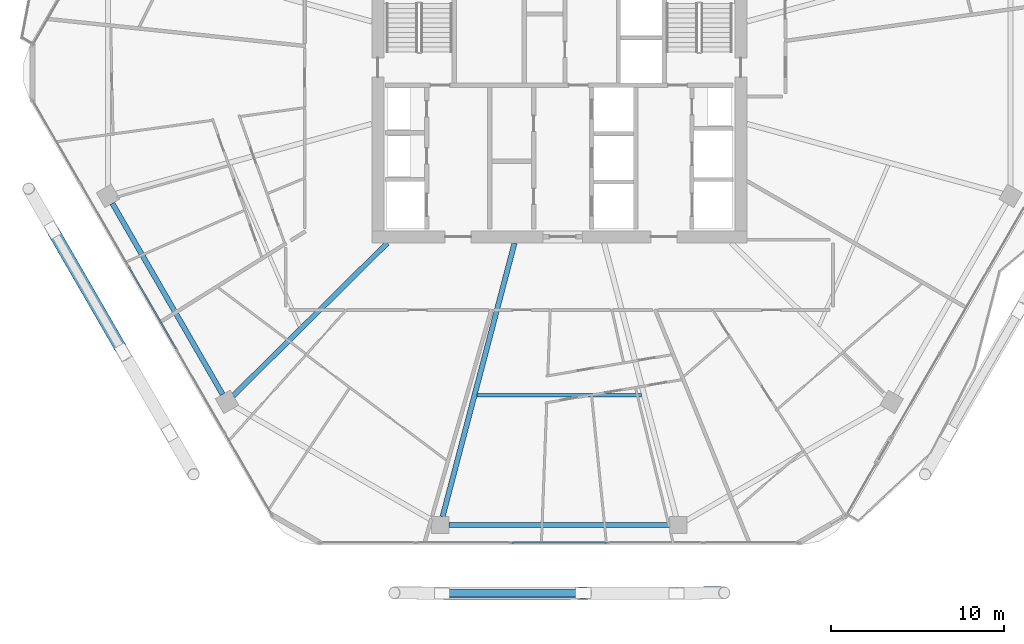
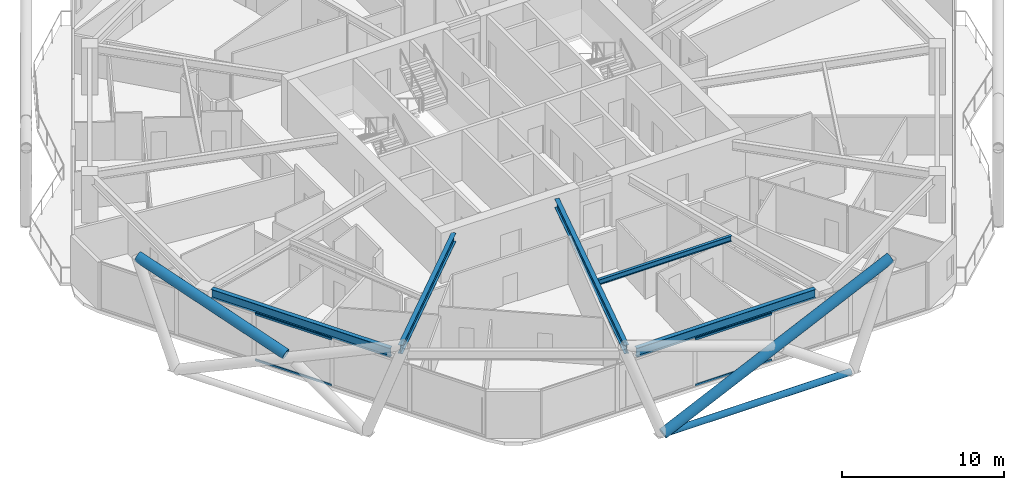
# One storey, part 4 of 28: 7 members, 5 beams, 2 elements without a shape of their own.
"""IFC4 building model written with IfcOpenShell, lengths in metres."""

from ifc_helpers import new_model, si_unit, direction, frame, origin, origin_2d, place, context, subcontext, project, spatial, hollow_rectangle, hollow_circle, i_section, extrude, material, material_profile, profile_set, type_object, element, aggregate, save


model = new_model("IFC4")

# Units and contexts
model_context = context("Model", 3, precision=1e-05, world=origin(), true_north=direction((0.0, 1.0)))
body_context = subcontext(model_context, "Body", "Model", "MODEL_VIEW")
ifc_project = project(units=[si_unit("LENGTHUNIT", "METRE"), si_unit("AREAUNIT", "SQUARE_METRE"), si_unit("VOLUMEUNIT", "CUBIC_METRE"), si_unit("PLANEANGLEUNIT", "RADIAN"), si_unit("MASSUNIT", "GRAM", prefix="KILO")], contexts=[model_context])

# Site, building, storey
site_placement = place(None, origin())
site = spatial("IfcSite", under=ifc_project, at=site_placement, CompositionType="ELEMENT")
building_placement = place(site_placement, origin())
building = spatial("IfcBuilding", under=site, at=building_placement, Name="Zuhravey Tower", CompositionType="ELEMENT")
storey_placement = place(building_placement, frame((0.0, 0.0, 154.199951171875)))
storey = spatial("IfcBuildingStorey", under=building, at=storey_placement, Name="L38", CompositionType="ELEMENT", Elevation=154.199951171875)

# Curtain wall, members
ifc_material_1 = material(Name="Thermally broken anodised aluminium", Category="aluminium")
curtain_wall_type = type_object("IfcCurtainWallType", Name="Zone 1-2 Residential Curtain Wall CW3", PredefinedType="NOTDEFINED", material=ifc_material_1)
curtain_wall_1_placement = place(storey_placement, origin())
curtain_wall_1 = element("IfcCurtainWall", 1, at=curtain_wall_1_placement, inside=storey, type_object=curtain_wall_type, Name="L38 CW3 CW-L38-F5-1", PredefinedType="NOTDEFINED")
ifc_material_2 = material(Name="Anodised aluminium", Category="aluminium")
ifc_material_profile_1 = material_profile(ifc_material_2, hollow_rectangle(XDim=0.090087890625, YDim=0.14990234375, WallThickness=0.0048828125, at=origin_2d()), Name="ALU-RHS-90x150x5")
ifc_profile_set_1 = profile_set([ifc_material_profile_1], Name="Anodised aluminium")
member_type_1 = type_object("IfcMemberType", Name="Curtain-Wall Transom 90x150", PredefinedType="USERDEFINED", material=ifc_profile_set_1)
member_1_placement = place(storey_placement, frame((38.727294921875, 4.81689453125, 0.045166015625), z_axis=(-1.0, 0.0, 0.0), x_axis=(0.0, -1.0, 0.0)))
member_1 = element("IfcMember", 2, at=member_1_placement, type_object=member_type_1, Name="CW3 transom 3.1", ObjectType="TRANSOM", PredefinedType="USERDEFINED", context=body_context, shape_type="SweptSolid", body=[
    extrude(hollow_rectangle(XDim=0.090087890625, YDim=0.14990234375, WallThickness=0.0048828125, at=origin_2d()), origin(), (0.0, 0.0, 1.0), 5.45458984375),
])
member_2_placement = place(storey_placement, frame((38.727294921875, 4.81689453125, 3.505126953125), z_axis=(-1.0, 0.0, 0.0), x_axis=(0.0, -1.0, 0.0)))
member_2 = element("IfcMember", 3, at=member_2_placement, type_object=member_type_1, Name="CW3 transom 3.2", ObjectType="TRANSOM", PredefinedType="USERDEFINED", context=body_context, shape_type="SweptSolid", body=[
    extrude(hollow_rectangle(XDim=0.090087890625, YDim=0.14990234375, WallThickness=0.0048828125, at=origin_2d()), origin(), (0.0, 0.0, 1.0), 5.45458984375),
])
aggregate(curtain_wall_1, [member_1, member_2])

curtain_wall_2_placement = place(storey_placement, origin())
curtain_wall_2 = element("IfcCurtainWall", 4, at=curtain_wall_2_placement, inside=storey, type_object=curtain_wall_type, Name="L38 CW3 CW-L38-F4-1", PredefinedType="NOTDEFINED")
member_3_placement = place(storey_placement, frame((13.822265625, 16.046630859375, 0.045166015625), z_axis=(-0.499980763544, 0.866036509673, 0.0), x_axis=(-0.866036509673, -0.499980763544, 0.0)))
member_3 = element("IfcMember", 5, at=member_3_placement, type_object=member_type_1, Name="CW3 transom 3.1", ObjectType="TRANSOM", PredefinedType="USERDEFINED", context=body_context, shape_type="SweptSolid", body=[
    extrude(hollow_rectangle(XDim=0.090087890625, YDim=0.14990234375, WallThickness=0.0048828125, at=origin_2d()), origin(), (0.0, 0.0, 1.0), 5.454345703125),
])
member_4_placement = place(storey_placement, frame((13.822265625, 16.046630859375, 3.505126953125), z_axis=(-0.499980763544, 0.866036509673, 0.0), x_axis=(-0.866036509673, -0.499980763544, 0.0)))
member_4 = element("IfcMember", 6, at=member_4_placement, type_object=member_type_1, Name="CW3 transom 3.2", ObjectType="TRANSOM", PredefinedType="USERDEFINED", context=body_context, shape_type="SweptSolid", body=[
    extrude(hollow_rectangle(XDim=0.090087890625, YDim=0.14990234375, WallThickness=0.0048828125, at=origin_2d()), origin(), (0.0, 0.0, 1.0), 5.454345703125),
])
aggregate(curtain_wall_2, [member_3, member_4])

# Members
ifc_material_3 = material(Name="Steel SM355", Category="steel")
ifc_material_profile_2 = material_profile(ifc_material_3, hollow_circle(Radius=0.228515625, WallThickness=0.02197265625, at=origin_2d()), Name="CHS-457.2x22")
ifc_profile_set_2 = profile_set([ifc_material_profile_2], Name="Steel SM355")
member_type_2 = type_object("IfcMemberType", Name="Exoskeleton Ring Tie CHS457x22", PredefinedType="CHORD", material=ifc_profile_set_2)
member_5_placement = place(storey_placement, frame((29.35888671875, 1.876953125, -0.4638671875), z_axis=(1.0, 0.0, 0.0), x_axis=(0.0, 1.0, 0.0)))
element("IfcMember", 7, at=member_5_placement, inside=storey, type_object=member_type_2, Name="L38 Exoskeleton Face 5 Tie EXR1", PredefinedType="CHORD", context=body_context, shape_type="SweptSolid", body=[
    extrude(hollow_circle(Radius=0.228515625, WallThickness=0.02197265625, at=origin_2d()), origin(), (0.0, 0.0, 1.0), 13.2822265625),
])
ifc_material_4 = material(Name="Steel SM460", Category="steel")
ifc_material_profile_3 = material_profile(ifc_material_4, hollow_circle(Radius=0.355712890625, WallThickness=0.031982421875, at=origin_2d()), Name="CHS-711.2x32")
ifc_profile_set_3 = profile_set([ifc_material_profile_3], Name="Steel SM460")
member_type_3 = type_object("IfcMemberType", Name="Exoskeleton Zone 2 Diagrid CHS711x32", PredefinedType="BRACE", material=ifc_profile_set_3)
member_6_placement = place(storey_placement, frame((10.598876953125, 16.10986328125, 3.449462890625), z_axis=(-0.472328200199, 0.818092776704, 0.328070541198), x_axis=(-0.866024434144, -0.500001679462, 0.0)))
element("IfcMember", 8, at=member_6_placement, inside=storey, type_object=member_type_3, Name="L38 Face 4 Split Diagrid Brace 3B", PredefinedType="BRACE", context=body_context, shape_type="SweptSolid", body=[
    extrude(hollow_circle(Radius=0.355712890625, WallThickness=0.031982421875, at=origin_2d()), origin(), (0.0, 0.0, 1.0), 11.190185546875),
])
member_7_placement = place(storey_placement, frame((29.261962890625, 1.876953125, -0.44384765625), z_axis=(0.906684120561, 0.001661890966, 0.421806998094), x_axis=(-0.001832929613, 0.999998320183, 0.0)))
element("IfcMember", 9, at=member_7_placement, inside=storey, type_object=member_type_3, Name="L38 Face 5 Diagrid Brace 2", PredefinedType="BRACE", context=body_context, shape_type="SweptSolid", body=[
    extrude(hollow_circle(Radius=0.355712890625, WallThickness=0.031982421875, at=origin_2d()), origin(), (0.0, 0.0, 1.0), 17.92236328125),
])

# Beams
ifc_material_profile_4 = material_profile(ifc_material_3, i_section(OverallWidth=0.300048828125, OverallDepth=0.679931640625, WebThickness=0.012939453125, FlangeThickness=0.02197265625, at=origin_2d()), Name="H-680x300x13x22")
ifc_profile_set_4 = profile_set([ifc_material_profile_4], Name="Steel SM355")
beam_type_1 = type_object("IfcBeamType", Name="Perimeter Ring Beam H680x300", PredefinedType="BEAM", material=ifc_profile_set_4)
beam_1_placement = place(storey_placement, frame((10.143798828125, 24.43798828125, 3.2099609375), z_axis=(0.499997974489, -0.866026573211, 0.0), x_axis=(0.866026573211, 0.499997974489, 0.0)))
element("IfcBeam", 10, at=beam_1_placement, inside=storey, type_object=beam_type_1, Name="L38 PB2 BM-L38-PB-07", PredefinedType="BEAM", context=body_context, shape_type="SweptSolid", body=[
    extrude(i_section(OverallWidth=0.300048828125, OverallDepth=0.679931640625, WebThickness=0.012939453125, FlangeThickness=0.02197265625, at=origin_2d()), origin(), (0.0, 0.0, 1.0), 12.75830078125),
])
beam_2_placement = place(storey_placement, frame((29.62109375, 5.826904296875, 3.2099609375), z_axis=(1.0, 0.0, 0.0), x_axis=(0.0, 1.0, 0.0)))
element("IfcBeam", 11, at=beam_2_placement, inside=storey, type_object=beam_type_1, Name="L38 PB2 BM-L38-PB-09", PredefinedType="BEAM", context=body_context, shape_type="SweptSolid", body=[
    extrude(i_section(OverallWidth=0.300048828125, OverallDepth=0.679931640625, WebThickness=0.012939453125, FlangeThickness=0.02197265625, at=origin_2d()), origin(), (0.0, 0.0, 1.0), 12.7578125),
])
ifc_material_profile_5 = material_profile(ifc_material_3, i_section(OverallWidth=0.300048828125, OverallDepth=0.64990234375, WebThickness=0.012939453125, FlangeThickness=0.02197265625, at=origin_2d()), Name="H-650x300x13x22")
ifc_profile_set_5 = profile_set([ifc_material_profile_5], Name="Steel SM355")
beam_type_2 = type_object("IfcBeamType", Name="Radial Primary Girder H650x300", PredefinedType="BEAM", material=ifc_profile_set_5)
beam_3_placement = place(storey_placement, frame((26.054443359375, 22.14697265625, 3.22509765625), z_axis=(-0.71040353357, -0.703794586148, 0.0), x_axis=(0.703794586148, -0.71040353357, 0.0)))
element("IfcBeam", 12, at=beam_3_placement, inside=storey, type_object=beam_type_2, Name="L38 RG2 BM-L38-RAD-08", PredefinedType="BEAM", context=body_context, shape_type="SweptSolid", body=[
    extrude(i_section(OverallWidth=0.300048828125, OverallDepth=0.64990234375, WebThickness=0.012939453125, FlangeThickness=0.02197265625, at=origin_2d()), origin(), (0.0, 0.0, 1.0), 12.559814453125),
])
beam_4_placement = place(storey_placement, frame((33.4091796875, 22.14697265625, 3.22509765625), z_axis=(-0.254300244998, -0.967125320418, 0.0), x_axis=(0.967125320418, -0.254300244998, 0.0)))
element("IfcBeam", 13, at=beam_4_placement, inside=storey, type_object=beam_type_2, Name="L38 RG2 BM-L38-RAD-09", PredefinedType="BEAM", context=body_context, shape_type="SweptSolid", body=[
    extrude(i_section(OverallWidth=0.300048828125, OverallDepth=0.64990234375, WebThickness=0.012939453125, FlangeThickness=0.02197265625, at=origin_2d()), origin(), (0.0, 0.0, 1.0), 16.371826171875),
])
ifc_material_profile_6 = material_profile(ifc_material_3, i_section(OverallWidth=0.199951171875, OverallDepth=0.39990234375, WebThickness=0.008056640625, FlangeThickness=0.012939453125, at=origin_2d()), Name="H-400x200x8x13")
ifc_profile_set_6 = profile_set([ifc_material_profile_6], Name="Steel SM355")
beam_type_3 = type_object("IfcBeamType", Name="Secondary Floor Joist H400x200", PredefinedType="JOIST", material=ifc_profile_set_6)
beam_5_placement = place(storey_placement, frame((31.245849609375, 13.334228515625, 3.35009765625), z_axis=(1.0, 0.0, 0.0), x_axis=(0.0, 1.0, 0.0)))
element("IfcBeam", 14, at=beam_5_placement, inside=storey, type_object=beam_type_3, Name="L38 SJ2 BM-L38-SJ-09-1", PredefinedType="JOIST", context=body_context, shape_type="SweptSolid", body=[
    extrude(i_section(OverallWidth=0.199951171875, OverallDepth=0.39990234375, WebThickness=0.008056640625, FlangeThickness=0.012939453125, at=origin_2d()), origin(), (0.0, 0.0, 1.0), 9.50830078125),
])

save(model, "model.ifc")
